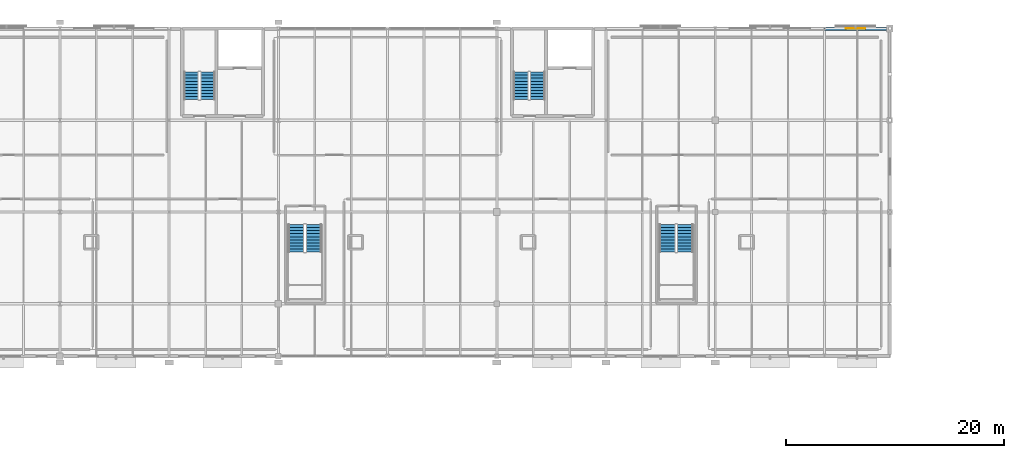
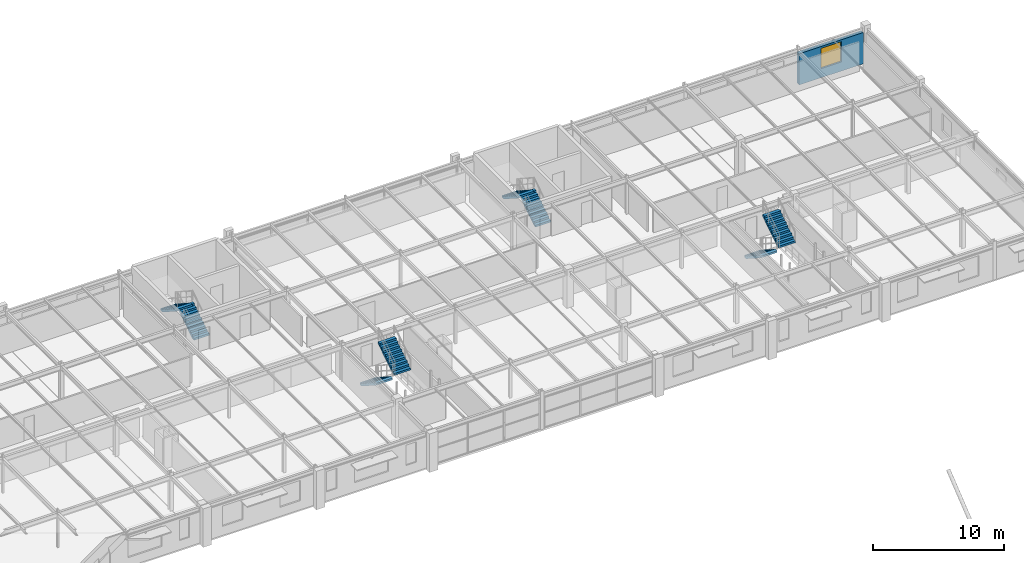
# One storey, part 102 of 109: 8 stair flights, 1 wall, 1 window, 1 opening, 4 elements without a shape of their own.
"""IFC4 building model written with IfcOpenShell, lengths in metres."""

import ifcopenshell
import ifcopenshell.guid

model = None  # the IFC model being written
_history = None  # IfcOwnerHistory: only IFC2X3 demands one
_inside = {}  # id of a spatial element -> (the spatial element, [elements in it])
_under = {}  # id of a project, library or spatial element -> (it, [spatial elements below it])
_declared = {}  # id of a project -> (the project, [libraries it declares])
_typed = {}  # id of a type object -> (the type object, [elements of that type])
_made_of = {}  # id of a material, layer set ... -> (it, [elements and type objects made of it])


def new_model(schema):
    """Start an empty IFC model of exactly this schema.

    Asked for "IFC4X3", IfcOpenShell would pick the latest addendum, in which some entities
    have other attributes; the version numbers below select the first issue.
    IFC2X3 requires an IfcOwnerHistory on every rooted entity: one is made here for all.
    """
    global model, _history
    if schema == "IFC4X3":
        model = ifcopenshell.file(schema_version=(4, 3, 0, 0))
    else:
        model = ifcopenshell.file(schema=schema)
    _inside.clear()
    _under.clear()
    _declared.clear()
    _typed.clear()
    _made_of.clear()
    _history = None
    if model.schema == "IFC2X3":
        org = make("IfcOrganization", Name="unknown")
        user = make(
            "IfcPersonAndOrganization",
            ThePerson=make("IfcPerson", FamilyName="unknown"),
            TheOrganization=org,
        )
        app = make(
            "IfcApplication",
            ApplicationDeveloper=org,
            Version="unknown",
            ApplicationFullName="unknown",
            ApplicationIdentifier="unknown",
        )
        _history = make(
            "IfcOwnerHistory",
            OwningUser=user,
            OwningApplication=app,
            ChangeAction="ADDED",
            CreationDate=0,
        )
    return model


def make(cls, **values):
    """One entity of the class cls with the attributes given. An attribute that is None is left unset."""
    return model.create_entity(
        cls, **{name: value for name, value in values.items() if value is not None}
    )


def rooted(cls, **values):
    """An entity with a GlobalId (a new one), such as an element, a storey or a relation."""
    return make(cls, GlobalId=ifcopenshell.guid.new(), OwnerHistory=_history, **values)


def si_unit(unit_type, name, prefix=None):
    """IfcSIUnit, for example si_unit("LENGTHUNIT", "METRE", prefix="MILLI")."""
    return make("IfcSIUnit", UnitType=unit_type, Prefix=prefix, Name=name)


def derived_unit(unit_type, elements):
    """IfcDerivedUnit: a product of units, each with its exponent."""
    return make(
        "IfcDerivedUnit",
        Elements=[
            make("IfcDerivedUnitElement", Unit=unit, Exponent=power)
            for unit, power in elements
        ],
        UnitType=unit_type,
    )


def assignment(units):
    """IfcUnitAssignment: the units of a project."""
    return None if units is None else make("IfcUnitAssignment", Units=units)


def point(xyz):
    """IfcCartesianPoint."""
    return None if xyz is None else make("IfcCartesianPoint", Coordinates=xyz)


def direction(xyz):
    """IfcDirection."""
    return None if xyz is None else make("IfcDirection", DirectionRatios=xyz)


def frame(location, z_axis=None, x_axis=None):
    """IfcAxis2Placement3D, a coordinate frame: its origin and axes. An axis left out is left unset."""
    return make(
        "IfcAxis2Placement3D",
        Location=point(location),
        Axis=direction(z_axis),
        RefDirection=direction(x_axis),
    )


def frame_2d(location, x_axis=None):
    """IfcAxis2Placement2D, a coordinate frame in the plane: its origin and x axis."""
    return make(
        "IfcAxis2Placement2D", Location=point(location), RefDirection=direction(x_axis)
    )


def origin():
    """The frame at (0, 0, 0) with its axes left unset."""
    return frame((0.0, 0.0, 0.0))


def place(relative_to, where):
    """IfcLocalPlacement: puts the frame where relative to a parent placement (None: the world)."""
    return make(
        "IfcLocalPlacement", PlacementRelTo=relative_to, RelativePlacement=where
    )


def context(
    kind, dimensions, precision=None, world=None, true_north=None, identifier=None
):
    """IfcGeometricRepresentationContext, for example the 3D "Model" context."""
    return make(
        "IfcGeometricRepresentationContext",
        ContextIdentifier=identifier,
        ContextType=kind,
        CoordinateSpaceDimension=dimensions,
        Precision=precision,
        WorldCoordinateSystem=world,
        TrueNorth=true_north,
    )


def subcontext(parent, identifier, kind, view, scale=None):
    """IfcGeometricRepresentationSubContext, for example "Body" below "Model"."""
    return make(
        "IfcGeometricRepresentationSubContext",
        ContextIdentifier=identifier,
        ContextType=kind,
        ParentContext=parent,
        TargetScale=scale,
        TargetView=view,
    )


def project(units=None, contexts=None):
    """IfcProject with its units and contexts."""
    return rooted(
        "IfcProject",
        Name="project",
        RepresentationContexts=contexts,
        UnitsInContext=assignment(units),
    )


def spatial(cls, under=None, at=None, **own):
    """A site, building, storey or space (cls), placed at a placement, below another one or the project."""
    s = rooted(cls, ObjectPlacement=at, **own)
    if under is not None:
        _under.setdefault(under.id(), (under, []))[1].append(s)
    return s


def polyline(points):
    """IfcPolyline through the points."""
    return make("IfcPolyline", Points=[point(p) for p in points])


def profile(cls, at=None, kind="AREA", **sizes):
    """A parametric profile (cls). Its sizes go by their IFC names, for example OverallWidth=200.0."""
    return make(cls, ProfileType=kind, Position=at, **sizes)


def rectangle(**sizes):
    """IfcRectangleProfileDef."""
    return profile("IfcRectangleProfileDef", **sizes)


def outline(outer, holes=None, kind="AREA"):
    """IfcArbitraryClosedProfileDef: a profile drawn as a closed curve; with holes, ...WithVoids."""
    if holes is None:
        return make("IfcArbitraryClosedProfileDef", ProfileType=kind, OuterCurve=outer)
    return make(
        "IfcArbitraryProfileDefWithVoids",
        ProfileType=kind,
        OuterCurve=outer,
        InnerCurves=holes,
    )


def extrude(swept, where, along, depth):
    """IfcExtrudedAreaSolid: the profile swept, set in the frame where, extruded along a direction by depth."""
    return make(
        "IfcExtrudedAreaSolid",
        SweptArea=swept,
        Position=where,
        ExtrudedDirection=direction(along),
        Depth=depth,
    )


def shape(context_of_items, identifier, shape_type, items):
    """IfcShapeRepresentation: the items that make up one representation, for example the "Body"."""
    return make(
        "IfcShapeRepresentation",
        ContextOfItems=context_of_items,
        RepresentationIdentifier=identifier,
        RepresentationType=shape_type,
        Items=items,
    )


def material(Name=None, Category=None):
    """IfcMaterial."""
    return make("IfcMaterial", Name=Name, Category=Category)


def layer(
    of_material, thickness, ventilated=None, Name=None, Category=None, Priority=None
):
    """IfcMaterialLayer: one layer of a wall or slab, of a material (None: an air gap)."""
    return make(
        "IfcMaterialLayer",
        Material=of_material,
        LayerThickness=thickness,
        IsVentilated=ventilated,
        Name=Name,
        Category=Category,
        Priority=Priority,
    )


def layer_set(layers, Name=None):
    """IfcMaterialLayerSet."""
    return make("IfcMaterialLayerSet", MaterialLayers=layers, LayerSetName=Name)


def made_of(thing, what):
    """Note that an element or type object is made of a material, layer set ...; save() writes the relation."""
    if what is not None:
        _made_of.setdefault(what.id(), (what, []))[1].append(thing)
    return thing


def type_object(cls, material=None, **own):
    """A type object (cls), such as IfcWallType, which elements share."""
    return made_of(rooted(cls, **own), material)


def element(
    cls,
    number,
    at=None,
    inside=None,
    cuts=None,
    type_object=None,
    material=None,
    context=None,
    identifier="Body",
    shape_type=None,
    held_by="IfcProductDefinitionShape",
    body=None,
    shapes=None,
    **own,
):
    """One element of the class cls, such as IfcWall. Its Tag is "e" and its number.

    at: its placement. inside: the storey or other place that contains it. cuts: it is an
    opening in that element (IfcRelVoidsElement). A single representation is given by context,
    identifier, shape_type and body (its items); several are given by shapes. held_by: the class
    of the entity that holds the representations. save() writes the other relations.
    """
    e = rooted(cls, Tag="e%d" % number, ObjectPlacement=at, **own)
    if body is not None:
        shapes = [shape(context, identifier, shape_type, body)]
    if shapes is not None:
        e.Representation = make(held_by, Representations=shapes)
    if inside is not None:
        _inside.setdefault(inside.id(), (inside, []))[1].append(e)
    if cuts is not None:
        rooted(
            "IfcRelVoidsElement", RelatingBuildingElement=cuts, RelatedOpeningElement=e
        )
    if type_object is not None:
        _typed.setdefault(type_object.id(), (type_object, []))[1].append(e)
    return made_of(e, material)


def fill(opening, filler):
    """IfcRelFillsElement: the door or window that sits in an opening."""
    return rooted(
        "IfcRelFillsElement",
        RelatingOpeningElement=opening,
        RelatedBuildingElement=filler,
    )


def aggregate(whole, parts):
    """IfcRelAggregates: a whole, such as a stair, and the parts it consists of."""
    return rooted("IfcRelAggregates", RelatingObject=whole, RelatedObjects=parts)


def save(model, path):
    """Write the relations noted so far, then the file.

    IfcRelAggregates (storeys below a building ...), IfcRelContainedInSpatialStructure (elements
    in a storey), IfcRelDefinesByType, IfcRelAssociatesMaterial and IfcRelDeclares: one each for
    every whole, place, type object, material and project.
    """
    for whole, parts in _under.values():
        aggregate(whole, parts)
    for where, things in _inside.values():
        rooted(
            "IfcRelContainedInSpatialStructure",
            RelatedElements=things,
            RelatingStructure=where,
        )
    for kind, things in _typed.values():
        rooted("IfcRelDefinesByType", RelatedObjects=things, RelatingType=kind)
    for what, things in _made_of.values():
        rooted("IfcRelAssociatesMaterial", RelatedObjects=things, RelatingMaterial=what)
    for by, libraries in _declared.values():
        rooted("IfcRelDeclares", RelatingContext=by, RelatedDefinitions=libraries)
    model.write(path)


model = new_model("IFC4")

# Units and contexts
model_context = context("Model", 3, precision=1e-05, world=origin(), true_north=direction((0.0, 1.0)))
body_context = subcontext(model_context, "Body", "Model", "MODEL_VIEW")
ifc_project = project(units=[si_unit("LENGTHUNIT", "METRE"), si_unit("AREAUNIT", "SQUARE_METRE"), si_unit("VOLUMEUNIT", "CUBIC_METRE"), si_unit("PLANEANGLEUNIT", "RADIAN"), si_unit("MASSUNIT", "GRAM", prefix="KILO"), derived_unit("THERMALTRANSMITTANCEUNIT", [(si_unit("POWERUNIT", "WATT"), 1), (si_unit("LENGTHUNIT", "METRE"), -2), (si_unit("THERMODYNAMICTEMPERATUREUNIT", "KELVIN"), -1)])], contexts=[model_context])

# Site, building, storey
site_placement = place(None, origin())
site = spatial("IfcSite", under=ifc_project, at=site_placement, CompositionType="ELEMENT")
building_placement = place(site_placement, origin())
building = spatial("IfcBuilding", under=site, at=building_placement, Name="Cinnabar Yard Market Hall", CompositionType="ELEMENT")
storey_placement = place(building_placement, frame((0.0, 0.0, 8.39990234375)))
storey = spatial("IfcBuildingStorey", under=building, at=storey_placement, Name="L02", CompositionType="ELEMENT", Elevation=8.39990234375)

# Wall, opening, window
ifc_material_1 = material(Name="Cream limestone and Concrete 32 MPa", Category="masonry")
ifc_layer = layer(ifc_material_1, 0.320068359375)
ifc_layer_set = layer_set([ifc_layer], Name="Cream limestone and Concrete 32 MPa")
wall_type = type_object("IfcWallType", Name="WL-W-EXT2", PredefinedType="SOLIDWALL", material=ifc_layer_set)
wall_placement = place(storey_placement, frame((161.696044921875, 138.0, 0.0), z_axis=(0.0, 0.0, 1.0), x_axis=(-1.0, 0.0, 0.0)))
wall = element("IfcWall", 1, at=wall_placement, inside=storey, type_object=wall_type, Name="Wing North Wall L02 Bay 10", PredefinedType="SOLIDWALL", context=body_context, shape_type="SweptSolid", body=[
    extrude(rectangle(XDim=5.68603515625, YDim=0.320068359375, at=frame_2d((2.843017578125, 0.0), x_axis=(1.0, 0.0))), origin(), (0.0, 0.0, 1.0), 2.920166015625),
])
opening_placement = place(wall_placement, frame((1.943115234375, 0.0, 0.85009765625)))
opening = element("IfcOpeningElement", 2, at=opening_placement, cuts=wall, Name="Opening W07", PredefinedType="OPENING", context=body_context, shape_type="SweptSolid", body=[
    extrude(rectangle(XDim=1.800048828125, YDim=1.89990234375, at=frame_2d((0.89990234375, 0.949951171875), x_axis=(1.0, 0.0))), frame((0.0, 0.169921875, 0.0), z_axis=(0.0, -1.0, 0.0), x_axis=(1.0, 0.0, 0.0)), (0.0, 0.0, 1.0), 0.340087890625),
])
ifc_material_2 = material(Name="Low-E double glazing in bronze aluminium", Category="aluminium")
window_type = type_object("IfcWindowType", Name="WN-W07", PartitioningType="SINGLE_PANEL", PredefinedType="WINDOW", material=ifc_material_2)
window_placement = place(opening_placement, origin())
window = element("IfcWindow", 3, at=window_placement, inside=storey, type_object=window_type, Name="Window WN-V3N-L02-10", OverallHeight=1.89990234375, OverallWidth=1.800048828125, PartitioningType="SINGLE_PANEL", PredefinedType="WINDOW", context=body_context, shape_type="SweptSolid", body=[
    extrude(rectangle(XDim=1.800048828125, YDim=1.89990234375, at=frame_2d((0.89990234375, 0.949951171875), x_axis=(1.0, 0.0))), frame((0.0, 0.030029296875, 0.0), z_axis=(0.0, -1.0, 0.0), x_axis=(1.0, 0.0, 0.0)), (0.0, 0.0, 1.0), 0.06005859375),
])
fill(opening, window)

# Stair, stair flights
ifc_material_3 = material(Name="Concrete 40 MPa", Category="concrete")
stair_type_1 = type_object("IfcStairType", Name="ST-CORE", PredefinedType="HALF_TURN_STAIR", material=ifc_material_3)
stair_1_placement = place(storey_placement, origin())
stair_1 = element("IfcStair", 4, at=stair_1_placement, inside=storey, type_object=stair_type_1, Name="L02 Cooking School West Core Stair", PredefinedType="HALF_TURN_STAIR")
stair_flight_type_1 = type_object("IfcStairFlightType", Name="STF-CORE", PredefinedType="STRAIGHT", material=ifc_material_3)
stair_flight_1_placement = place(storey_placement, frame((99.52490234375, 131.489990234375, 0.0), z_axis=(0.0, 0.0, 1.0), x_axis=(0.0, 1.0, 0.0)))
stair_flight_1 = element("IfcStairFlight", 5, at=stair_flight_1_placement, type_object=stair_flight_type_1, Name="ST-C5 flight 1", NumberOfRisers=10, NumberOfTreads=9, PredefinedType="STRAIGHT", RiserHeight=0.18, TreadLength=0.28, context=body_context, shape_type="SweptSolid", body=[
    extrude(outline(polyline([(0.0, 0.0), (0.0, 0.179931640625), (0.280029296875, 0.179931640625), (0.280029296875, 0.360107421875), (0.56005859375, 0.360107421875), (0.56005859375, 0.5400390625), (0.840087890625, 0.5400390625), (0.840087890625, 0.719970703125), (1.1201171875, 0.719970703125), (1.1201171875, 0.89990234375), (1.39990234375, 0.89990234375), (1.39990234375, 1.080078125), (1.679931640625, 1.080078125), (1.679931640625, 1.260009765625), (1.9599609375, 1.260009765625), (1.9599609375, 1.43994140625), (2.239990234375, 1.43994140625), (2.239990234375, 1.6201171875), (2.52001953125, 1.6201171875), (2.52001953125, 1.800048828125), (2.52001953125, 1.44189453125), (0.277099609375, 0.0), (0.0, 0.0)])), frame((0.0, 0.675048828125, 0.0), z_axis=(0.0, -1.0, 0.0), x_axis=(1.0, 0.0, 0.0)), (0.0, 0.0, 1.0), 1.35009765625),
])
stair_flight_2_placement = place(storey_placement, frame((98.014892578125, 134.010009765625, 1.800048828125), z_axis=(0.0, 0.0, 1.0), x_axis=(0.0, -1.0, 0.0)))
stair_flight_2 = element("IfcStairFlight", 6, at=stair_flight_2_placement, type_object=stair_flight_type_1, Name="ST-C5 flight 2", NumberOfRisers=10, NumberOfTreads=9, PredefinedType="STRAIGHT", RiserHeight=0.18, TreadLength=0.28, context=body_context, shape_type="SweptSolid", body=[
    extrude(outline(polyline([(0.0, 0.0), (0.0, 0.179931640625), (0.280029296875, 0.179931640625), (0.280029296875, 0.360107421875), (0.56005859375, 0.360107421875), (0.56005859375, 0.5400390625), (0.840087890625, 0.5400390625), (0.840087890625, 0.719970703125), (1.1201171875, 0.719970703125), (1.1201171875, 0.89990234375), (1.39990234375, 0.89990234375), (1.39990234375, 1.080078125), (1.679931640625, 1.080078125), (1.679931640625, 1.260009765625), (1.9599609375, 1.260009765625), (1.9599609375, 1.43994140625), (2.239990234375, 1.43994140625), (2.239990234375, 1.6201171875), (2.52001953125, 1.6201171875), (2.52001953125, 1.800048828125), (2.52001953125, 1.44189453125), (0.277099609375, 0.0), (0.0, 0.0)])), frame((0.0, 0.675048828125, 0.0), z_axis=(0.0, -1.0, 0.0), x_axis=(1.0, 0.0, 0.0)), (0.0, 0.0, 1.0), 1.35009765625),
])
aggregate(stair_1, [stair_flight_1, stair_flight_2])

stair_2_placement = place(storey_placement, origin())
stair_2 = element("IfcStair", 7, at=stair_2_placement, inside=storey, type_object=stair_type_1, Name="L02 Cooking School East Core Stair", PredefinedType="HALF_TURN_STAIR")
stair_flight_3_placement = place(storey_placement, frame((129.72509765625, 131.489990234375, 0.0), z_axis=(0.0, 0.0, 1.0), x_axis=(0.0, 1.0, 0.0)))
stair_flight_3 = element("IfcStairFlight", 8, at=stair_flight_3_placement, type_object=stair_flight_type_1, Name="ST-C6 flight 1", NumberOfRisers=10, NumberOfTreads=9, PredefinedType="STRAIGHT", RiserHeight=0.18, TreadLength=0.28, context=body_context, shape_type="SweptSolid", body=[
    extrude(outline(polyline([(0.0, 0.0), (0.0, 0.179931640625), (0.280029296875, 0.179931640625), (0.280029296875, 0.360107421875), (0.56005859375, 0.360107421875), (0.56005859375, 0.5400390625), (0.840087890625, 0.5400390625), (0.840087890625, 0.719970703125), (1.1201171875, 0.719970703125), (1.1201171875, 0.89990234375), (1.39990234375, 0.89990234375), (1.39990234375, 1.080078125), (1.679931640625, 1.080078125), (1.679931640625, 1.260009765625), (1.9599609375, 1.260009765625), (1.9599609375, 1.43994140625), (2.239990234375, 1.43994140625), (2.239990234375, 1.6201171875), (2.52001953125, 1.6201171875), (2.52001953125, 1.800048828125), (2.52001953125, 1.44189453125), (0.277099609375, 0.0), (0.0, 0.0)])), frame((0.0, 0.675048828125, 0.0), z_axis=(0.0, -1.0, 0.0), x_axis=(1.0, 0.0, 0.0)), (0.0, 0.0, 1.0), 1.35009765625),
])
stair_flight_4_placement = place(storey_placement, frame((128.215087890625, 134.010009765625, 1.800048828125), z_axis=(0.0, 0.0, 1.0), x_axis=(0.0, -1.0, 0.0)))
stair_flight_4 = element("IfcStairFlight", 9, at=stair_flight_4_placement, type_object=stair_flight_type_1, Name="ST-C6 flight 2", NumberOfRisers=10, NumberOfTreads=9, PredefinedType="STRAIGHT", RiserHeight=0.18, TreadLength=0.28, context=body_context, shape_type="SweptSolid", body=[
    extrude(outline(polyline([(0.0, 0.0), (0.0, 0.179931640625), (0.280029296875, 0.179931640625), (0.280029296875, 0.360107421875), (0.56005859375, 0.360107421875), (0.56005859375, 0.5400390625), (0.840087890625, 0.5400390625), (0.840087890625, 0.719970703125), (1.1201171875, 0.719970703125), (1.1201171875, 0.89990234375), (1.39990234375, 0.89990234375), (1.39990234375, 1.080078125), (1.679931640625, 1.080078125), (1.679931640625, 1.260009765625), (1.9599609375, 1.260009765625), (1.9599609375, 1.43994140625), (2.239990234375, 1.43994140625), (2.239990234375, 1.6201171875), (2.52001953125, 1.6201171875), (2.52001953125, 1.800048828125), (2.52001953125, 1.44189453125), (0.277099609375, 0.0), (0.0, 0.0)])), frame((0.0, 0.675048828125, 0.0), z_axis=(0.0, -1.0, 0.0), x_axis=(1.0, 0.0, 0.0)), (0.0, 0.0, 1.0), 1.35009765625),
])
aggregate(stair_2, [stair_flight_3, stair_flight_4])

ifc_material_4 = material(Name="Spotted gum timber treads on steel Grade 350 (350 MPa)", Category="steel")
stair_type_2 = type_object("IfcStairType", Name="ST-FEAT", PredefinedType="HALF_TURN_STAIR", material=ifc_material_4)
stair_3_placement = place(storey_placement, origin())
stair_3 = element("IfcStair", 10, at=stair_3_placement, inside=storey, type_object=stair_type_2, Name="L02 Feature Stair ST-F4", PredefinedType="HALF_TURN_STAIR")
stair_flight_type_2 = type_object("IfcStairFlightType", Name="STF-FEAT", PredefinedType="STRAIGHT", material=ifc_material_4)
stair_flight_5_placement = place(storey_placement, frame((107.625, 120.050048828125, 0.0), z_axis=(0.0, 0.0, 1.0), x_axis=(0.0, -1.0, 0.0)))
stair_flight_5 = element("IfcStairFlight", 11, at=stair_flight_5_placement, type_object=stair_flight_type_2, Name="ST-F4 flight 1", NumberOfRisers=10, NumberOfTreads=9, PredefinedType="STRAIGHT", RiserHeight=0.18, TreadLength=0.28, context=body_context, shape_type="SweptSolid", body=[
    extrude(outline(polyline([(0.0, 0.0), (0.0, 0.179931640625), (0.280029296875, 0.179931640625), (0.280029296875, 0.360107421875), (0.56005859375, 0.360107421875), (0.56005859375, 0.5400390625), (0.840087890625, 0.5400390625), (0.840087890625, 0.719970703125), (1.1201171875, 0.719970703125), (1.1201171875, 0.89990234375), (1.39990234375, 0.89990234375), (1.39990234375, 1.080078125), (1.679931640625, 1.080078125), (1.679931640625, 1.260009765625), (1.9599609375, 1.260009765625), (1.9599609375, 1.43994140625), (2.239990234375, 1.43994140625), (2.239990234375, 1.6201171875), (2.52001953125, 1.6201171875), (2.52001953125, 1.800048828125), (2.52001953125, 1.44189453125), (0.277099609375, 0.0), (0.0, 0.0)])), frame((0.0, 0.72509765625, 0.0), z_axis=(0.0, -1.0, 0.0), x_axis=(1.0, 0.0, 0.0)), (0.0, 0.0, 1.0), 1.449951171875),
])
stair_flight_6_placement = place(storey_placement, frame((109.235107421875, 117.530029296875, 1.800048828125), z_axis=(0.0, 0.0, 1.0), x_axis=(0.0, 1.0, 0.0)))
stair_flight_6 = element("IfcStairFlight", 12, at=stair_flight_6_placement, type_object=stair_flight_type_2, Name="ST-F4 flight 2", NumberOfRisers=10, NumberOfTreads=9, PredefinedType="STRAIGHT", RiserHeight=0.18, TreadLength=0.28, context=body_context, shape_type="SweptSolid", body=[
    extrude(outline(polyline([(0.0, 0.0), (0.0, 0.179931640625), (0.280029296875, 0.179931640625), (0.280029296875, 0.360107421875), (0.56005859375, 0.360107421875), (0.56005859375, 0.5400390625), (0.840087890625, 0.5400390625), (0.840087890625, 0.719970703125), (1.1201171875, 0.719970703125), (1.1201171875, 0.89990234375), (1.39990234375, 0.89990234375), (1.39990234375, 1.080078125), (1.679931640625, 1.080078125), (1.679931640625, 1.260009765625), (1.9599609375, 1.260009765625), (1.9599609375, 1.43994140625), (2.239990234375, 1.43994140625), (2.239990234375, 1.6201171875), (2.52001953125, 1.6201171875), (2.52001953125, 1.800048828125), (2.52001953125, 1.44189453125), (0.277099609375, 0.0), (0.0, 0.0)])), frame((0.0, 0.72509765625, 0.0), z_axis=(0.0, -1.0, 0.0), x_axis=(1.0, 0.0, 0.0)), (0.0, 0.0, 1.0), 1.449951171875),
])
aggregate(stair_3, [stair_flight_5, stair_flight_6])

stair_4_placement = place(storey_placement, origin())
stair_4 = element("IfcStair", 13, at=stair_4_placement, inside=storey, type_object=stair_type_2, Name="L02 Feature Stair ST-F6", PredefinedType="HALF_TURN_STAIR")
stair_flight_7_placement = place(storey_placement, frame((141.625, 120.050048828125, 0.0), z_axis=(0.0, 0.0, 1.0), x_axis=(0.0, -1.0, 0.0)))
stair_flight_7 = element("IfcStairFlight", 14, at=stair_flight_7_placement, type_object=stair_flight_type_2, Name="ST-F6 flight 1", NumberOfRisers=10, NumberOfTreads=9, PredefinedType="STRAIGHT", RiserHeight=0.18, TreadLength=0.28, context=body_context, shape_type="SweptSolid", body=[
    extrude(outline(polyline([(0.0, 0.0), (0.0, 0.179931640625), (0.280029296875, 0.179931640625), (0.280029296875, 0.360107421875), (0.56005859375, 0.360107421875), (0.56005859375, 0.5400390625), (0.840087890625, 0.5400390625), (0.840087890625, 0.719970703125), (1.1201171875, 0.719970703125), (1.1201171875, 0.89990234375), (1.39990234375, 0.89990234375), (1.39990234375, 1.080078125), (1.679931640625, 1.080078125), (1.679931640625, 1.260009765625), (1.9599609375, 1.260009765625), (1.9599609375, 1.43994140625), (2.239990234375, 1.43994140625), (2.239990234375, 1.6201171875), (2.52001953125, 1.6201171875), (2.52001953125, 1.800048828125), (2.52001953125, 1.44189453125), (0.277099609375, 0.0), (0.0, 0.0)])), frame((0.0, 0.72509765625, 0.0), z_axis=(0.0, -1.0, 0.0), x_axis=(1.0, 0.0, 0.0)), (0.0, 0.0, 1.0), 1.449951171875),
])
stair_flight_8_placement = place(storey_placement, frame((143.235107421875, 117.530029296875, 1.800048828125), z_axis=(0.0, 0.0, 1.0), x_axis=(0.0, 1.0, 0.0)))
stair_flight_8 = element("IfcStairFlight", 15, at=stair_flight_8_placement, type_object=stair_flight_type_2, Name="ST-F6 flight 2", NumberOfRisers=10, NumberOfTreads=9, PredefinedType="STRAIGHT", RiserHeight=0.18, TreadLength=0.28, context=body_context, shape_type="SweptSolid", body=[
    extrude(outline(polyline([(0.0, 0.0), (0.0, 0.179931640625), (0.280029296875, 0.179931640625), (0.280029296875, 0.360107421875), (0.56005859375, 0.360107421875), (0.56005859375, 0.5400390625), (0.840087890625, 0.5400390625), (0.840087890625, 0.719970703125), (1.1201171875, 0.719970703125), (1.1201171875, 0.89990234375), (1.39990234375, 0.89990234375), (1.39990234375, 1.080078125), (1.679931640625, 1.080078125), (1.679931640625, 1.260009765625), (1.9599609375, 1.260009765625), (1.9599609375, 1.43994140625), (2.239990234375, 1.43994140625), (2.239990234375, 1.6201171875), (2.52001953125, 1.6201171875), (2.52001953125, 1.800048828125), (2.52001953125, 1.44189453125), (0.277099609375, 0.0), (0.0, 0.0)])), frame((0.0, 0.72509765625, 0.0), z_axis=(0.0, -1.0, 0.0), x_axis=(1.0, 0.0, 0.0)), (0.0, 0.0, 1.0), 1.449951171875),
])
aggregate(stair_4, [stair_flight_7, stair_flight_8])

save(model, "model.ifc")
